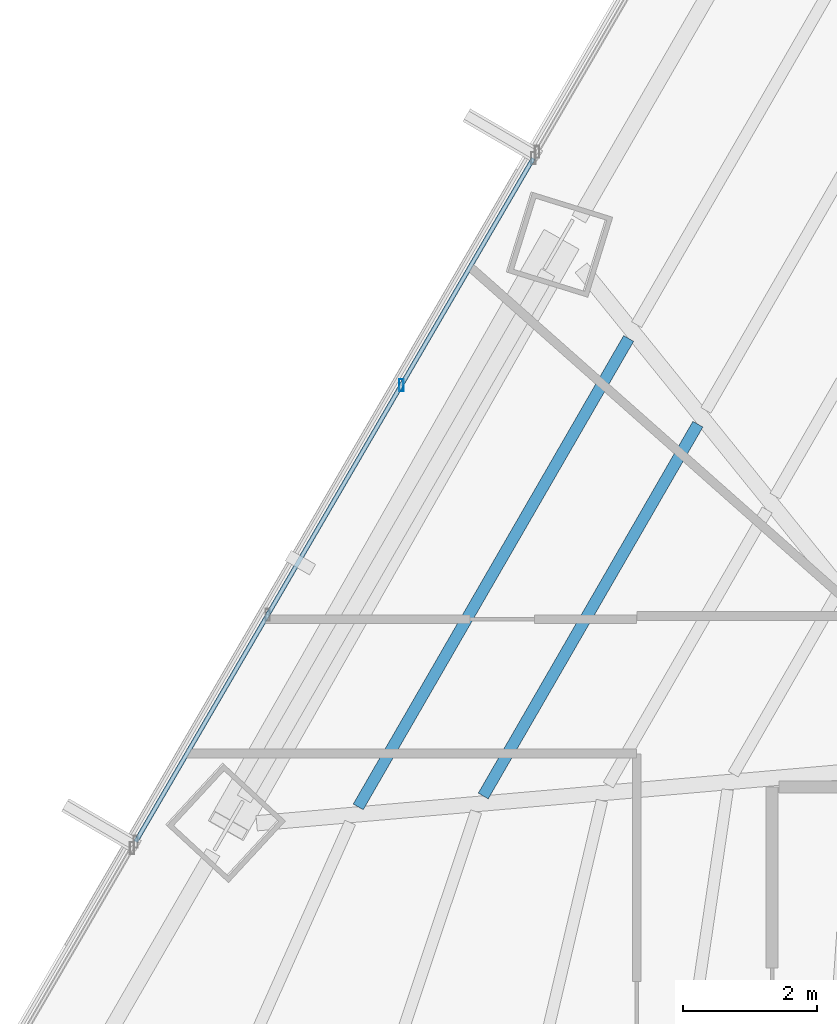
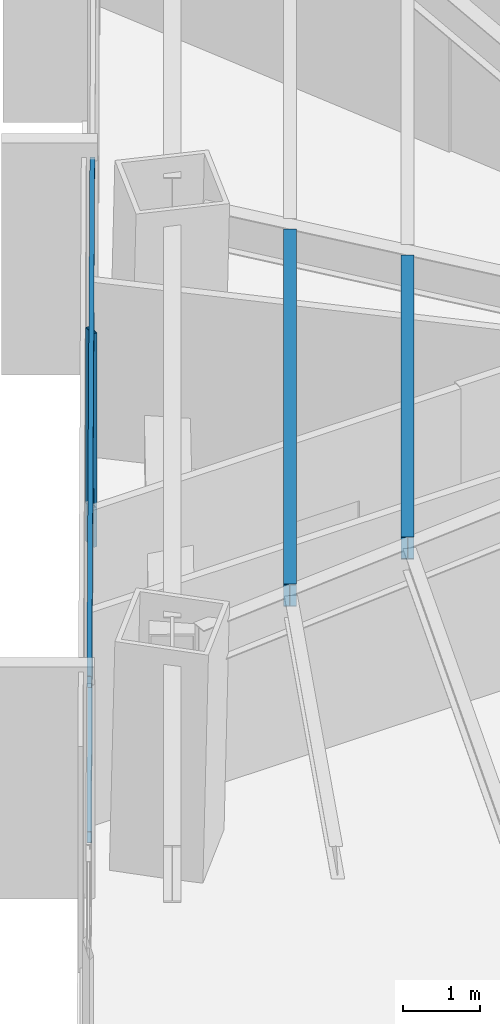
# One storey, part 13 of 34: 3 members, 2 beams, 1 element without a shape of its own.
"""IFC4 building model written with IfcOpenShell, lengths in metres."""

from ifc_helpers import new_model, si_unit, direction, frame, origin, origin_2d, place, context, subcontext, project, spatial, hollow_rectangle, i_section, extrude, source, transform, mapped, material, material_profile, profile_set, type_object, type_shapes, element, aggregate, save


model = new_model("IFC4")

# Units and contexts
model_context = context("Model", 3, precision=1e-05, world=origin(), true_north=direction((0.0, 1.0)))
body_context = subcontext(model_context, "Body", "Model", "MODEL_VIEW")
ifc_project = project(units=[si_unit("LENGTHUNIT", "METRE"), si_unit("AREAUNIT", "SQUARE_METRE"), si_unit("VOLUMEUNIT", "CUBIC_METRE"), si_unit("PLANEANGLEUNIT", "RADIAN"), si_unit("MASSUNIT", "GRAM", prefix="KILO")], contexts=[model_context])

# Site, building, storey
site_placement = place(None, origin())
site = spatial("IfcSite", under=ifc_project, at=site_placement, CompositionType="ELEMENT")
building_placement = place(site_placement, origin())
building = spatial("IfcBuilding", under=site, at=building_placement, Name="Caelisora Broadcast Tower", CompositionType="ELEMENT")
storey_placement = place(building_placement, frame((0.0, 0.0, 49.5)))
storey = spatial("IfcBuildingStorey", under=building, at=storey_placement, Name="L12", CompositionType="ELEMENT", Elevation=49.5)

# Beams
ifc_material_1 = material(Name="Steel Grade 350 (AS/NZS 3679.1)", Category="steel")
ifc_material_profile_1 = material_profile(ifc_material_1, i_section(OverallWidth=0.172119140625, OverallDepth=0.358642578125, WebThickness=0.008056640625, FlangeThickness=0.012939453125, at=origin_2d()), Name="Steel Grade 350 (AS/NZS 3679.1)")
ifc_profile_set_1 = profile_set([ifc_material_profile_1], Name="Steel Grade 350 (AS/NZS 3679.1)")
beam_type = type_object("IfcBeamType", Name="SB02", PredefinedType="JOIST", material=ifc_profile_set_1)
shared_shape_1 = source(origin(), body_context, "Body", "SweptSolid", [
    extrude(i_section(OverallWidth=0.172119140625, OverallDepth=0.358642578125, WebThickness=0.008056640625, FlangeThickness=0.012939453125, at=origin_2d()), origin(), (0.0, 0.0, 1.0), 6.40087890625),
])
beam_1_placement = place(storey_placement, frame((26.3115234375, 35.01025390625, 3.220703125), z_axis=(-0.49999098308, -0.866030609643, 0.0), x_axis=(0.866030609643, -0.49999098308, 0.0)))
element("IfcBeam", 1, at=beam_1_placement, inside=storey, type_object=beam_type, Name="L12 beam SB02", PredefinedType="JOIST", context=body_context, shape_type="MappedRepresentation", body=[
    mapped(shared_shape_1, transform((0.0, 0.0, 0.0), scale=1.0)),
])
shared_shape_2 = source(origin(), body_context, "Body", "SweptSolid", [
    extrude(i_section(OverallWidth=0.172119140625, OverallDepth=0.358642578125, WebThickness=0.008056640625, FlangeThickness=0.012939453125, at=origin_2d()), origin(), (0.0, 0.0, 1.0), 8.065185546875),
])
type_shapes(beam_type, [shared_shape_1, shared_shape_2])
beam_2_placement = place(storey_placement, frame((25.279296875, 36.288818359375, 3.220703125), z_axis=(-0.499990604118, -0.866030828432, 0.0), x_axis=(0.866030828432, -0.499990604118, 0.0)))
element("IfcBeam", 2, at=beam_2_placement, inside=storey, type_object=beam_type, Name="L12 beam SB02", PredefinedType="JOIST", context=body_context, shape_type="MappedRepresentation", body=[
    mapped(shared_shape_2, transform((0.0, 0.0, 0.0), scale=1.0)),
])

# Curtain wall, members
ifc_material_2 = material(Name="Unitised Aluminium Insulated Shadow-Box Spandrel Curtain Wall", Category="aluminium")
curtain_wall_type = type_object("IfcCurtainWallType", Name="CW-SP1", PredefinedType="NOTDEFINED", material=ifc_material_2)
curtain_wall_placement = place(storey_placement, origin())
curtain_wall = element("IfcCurtainWall", 3, at=curtain_wall_placement, inside=storey, type_object=curtain_wall_type, Name="L12 curtain wall CW-SP1", PredefinedType="NOTDEFINED")
ifc_material_3 = material(Name="Aluminium 6063-T6 Anodised Terracotta Bronze", Category="aluminium")
ifc_material_profile_2 = material_profile(ifc_material_3, hollow_rectangle(XDim=0.06494140625, YDim=0.179931640625, WallThickness=0.00341796875, at=origin_2d()), Name="Aluminium 6063-T6 Anodised Terracotta Bronze")
ifc_profile_set_2 = profile_set([ifc_material_profile_2], Name="Aluminium 6063-T6 Anodised Terracotta Bronze")
member_type_1 = type_object("IfcMemberType", Name="CWM-02", PredefinedType="MULLION", material=ifc_profile_set_2)
shared_shape_3 = source(origin(), body_context, "Body", "SweptSolid", [
    extrude(hollow_rectangle(XDim=0.06494140625, YDim=0.179931640625, WallThickness=0.00341796875, at=origin_2d()), origin(), (0.0, 0.0, 1.0), 3.39990234375),
])
type_shapes(member_type_1, [shared_shape_3])
member_1_placement = place(storey_placement, frame((21.89013671875, 35.593505859375, 0.0), z_axis=(0.0, 0.0, 1.0), x_axis=(1.0, 0.0, 0.0)))
member_1 = element("IfcMember", 4, at=member_1_placement, type_object=member_type_1, Name="L12-CW-B10 mullion #2", PredefinedType="MULLION", context=body_context, shape_type="MappedRepresentation", body=[
    mapped(shared_shape_3, transform((0.0, 0.0, 0.0), scale=1.0)),
])
ifc_material_profile_3 = material_profile(ifc_material_3, hollow_rectangle(XDim=0.06494140625, YDim=0.179931640625, WallThickness=0.00341796875, at=origin_2d()), Name="Aluminium 6063-T6 Anodised Terracotta Bronze")
ifc_profile_set_3 = profile_set([ifc_material_profile_3], Name="Aluminium 6063-T6 Anodised Terracotta Bronze")
member_type_2 = type_object("IfcMemberType", Name="CWT-01", PredefinedType="USERDEFINED", material=ifc_profile_set_3)
shared_shape_4 = source(origin(), body_context, "Body", "SweptSolid", [
    extrude(hollow_rectangle(XDim=0.06494140625, YDim=0.179931640625, WallThickness=0.00341796875, at=origin_2d()), origin(), (0.0, 0.0, 1.0), 11.79150390625),
])
type_shapes(member_type_2, [shared_shape_4])
member_2_placement = place(storey_placement, frame((17.9287109375, 28.7841796875, 0.85009765625), z_axis=(0.50287557856, 0.864358810036, 0.0), x_axis=(-0.864358810036, 0.50287557856, 0.0)))
member_2 = element("IfcMember", 5, at=member_2_placement, type_object=member_type_2, Name="L12-CW-B10 transom #1", ObjectType="TRANSOM", PredefinedType="USERDEFINED", context=body_context, shape_type="MappedRepresentation", body=[
    mapped(shared_shape_4, transform((0.0, 0.0, 0.0), scale=1.0)),
])
member_3_placement = place(storey_placement, frame((17.9287109375, 28.7841796875, 3.320068359375), z_axis=(0.50287557856, 0.864358810036, 0.0), x_axis=(-0.864358810036, 0.50287557856, 0.0)))
member_3 = element("IfcMember", 6, at=member_3_placement, type_object=member_type_2, Name="L12-CW-B10 transom #2", ObjectType="TRANSOM", PredefinedType="USERDEFINED", context=body_context, shape_type="MappedRepresentation", body=[
    mapped(shared_shape_4, transform((0.0, 0.0, 0.0), scale=1.0)),
])
aggregate(curtain_wall, [member_1, member_2, member_3])

save(model, "model.ifc")
